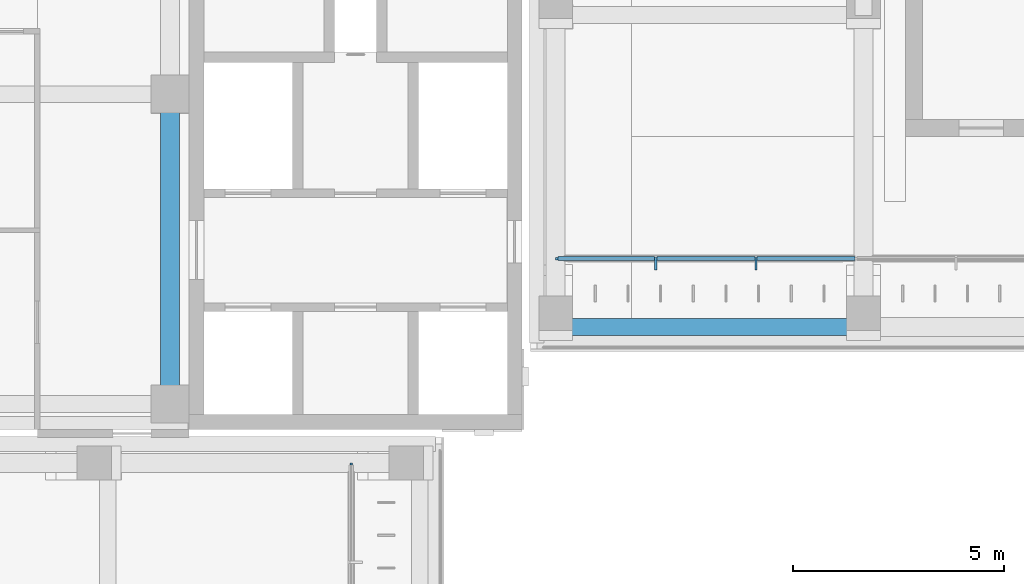
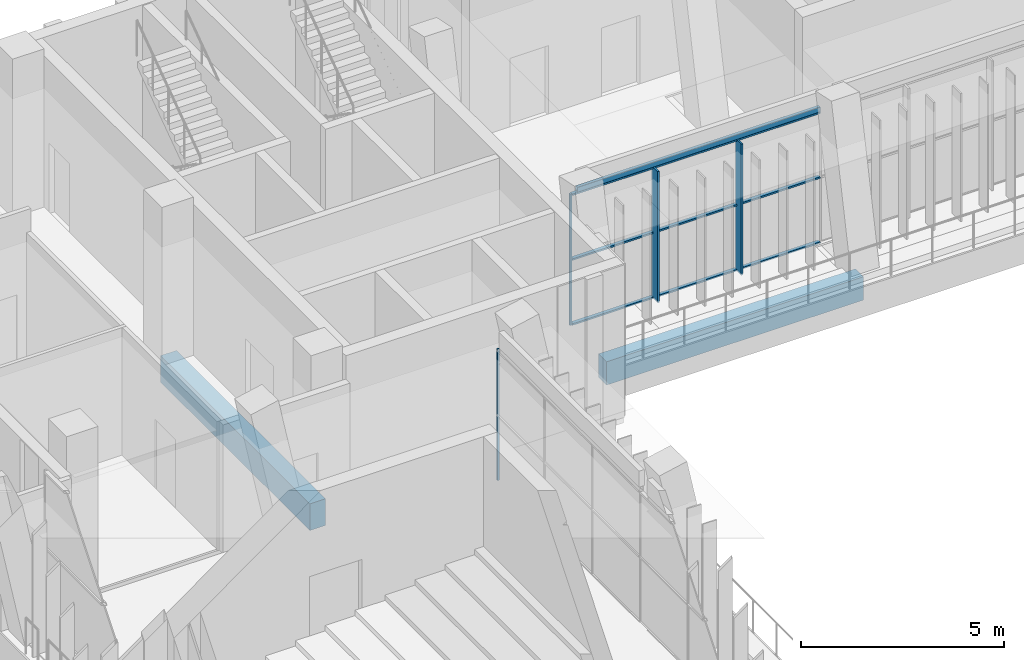
# One storey, part 69 of 141: 13 members, 3 beams, 2 elements without a shape of their own.
"""IFC4 building model written with IfcOpenShell, lengths in metres."""

from ifc_helpers import new_model, si_unit, direction, frame, origin, origin_2d, place, context, subcontext, project, spatial, rectangle, hollow_rectangle, extrude, material, material_profile, profile_set, type_object, element, aggregate, save


model = new_model("IFC4")

# Units and contexts
model_context = context("Model", 3, precision=1e-05, world=origin(), true_north=direction((0.0, 1.0)))
body_context = subcontext(model_context, "Body", "Model", "MODEL_VIEW")
ifc_project = project(units=[si_unit("LENGTHUNIT", "METRE"), si_unit("AREAUNIT", "SQUARE_METRE"), si_unit("VOLUMEUNIT", "CUBIC_METRE"), si_unit("PLANEANGLEUNIT", "RADIAN"), si_unit("MASSUNIT", "GRAM", prefix="KILO")], contexts=[model_context])

# Site, building, storey
site_placement = place(None, origin())
site = spatial("IfcSite", under=ifc_project, at=site_placement, CompositionType="ELEMENT")
building_placement = place(site_placement, origin())
building = spatial("IfcBuilding", under=site, at=building_placement, Name="Lantern Court Media Centre", CompositionType="ELEMENT")
storey_placement = place(building_placement, frame((0.0, 0.0, 9.60009765625)))
storey = spatial("IfcBuildingStorey", under=building, at=storey_placement, Name="L02", CompositionType="ELEMENT", Elevation=9.60009765625)

# Curtain wall, members
ifc_material_1 = material(Name="Curtain wall bay 2400")
curtain_wall_type = type_object("IfcCurtainWallType", Name="Curtain wall bay 2400", PredefinedType="NOTDEFINED", material=ifc_material_1)
curtain_wall_1_placement = place(storey_placement, origin())
curtain_wall_1 = element("IfcCurtainWall", 1, at=curtain_wall_1_placement, inside=storey, type_object=curtain_wall_type, Name="Curtain wall N inner L02", PredefinedType="NOTDEFINED")
ifc_material_2 = material(Name="Anodised aluminium", Category="aluminium")
ifc_material_profile_1 = material_profile(ifc_material_2, rectangle(XDim=0.300048828125, YDim=0.050048828125, at=origin_2d()), Name="AL 50x300")
ifc_profile_set_1 = profile_set([ifc_material_profile_1], Name="Anodised aluminium")
member_type_1 = type_object("IfcMemberType", Name="Curtain wall mullion 50x300", PredefinedType="MULLION", material=ifc_profile_set_1)
member_1_placement = place(storey_placement, frame((27.073974609375, 100.030029296875, 0.0), z_axis=(0.0, 0.0, 1.0), x_axis=(0.0, 1.0, 0.0)))
member_1 = element("IfcMember", 2, at=member_1_placement, type_object=member_type_1, Name="CW2 mullion 2", PredefinedType="MULLION", context=body_context, shape_type="SweptSolid", body=[
    extrude(rectangle(XDim=0.300048828125, YDim=0.050048828125, at=origin_2d()), origin(), (0.0, 0.0, 1.0), 3.949951171875),
])
member_2_placement = place(storey_placement, frame((29.44775390625, 100.030029296875, 0.0), z_axis=(0.0, 0.0, 1.0), x_axis=(0.0, 1.0, 0.0)))
member_2 = element("IfcMember", 3, at=member_2_placement, type_object=member_type_1, Name="CW2 mullion 3", PredefinedType="MULLION", context=body_context, shape_type="SweptSolid", body=[
    extrude(rectangle(XDim=0.300048828125, YDim=0.050048828125, at=origin_2d()), origin(), (0.0, 0.0, 1.0), 3.949951171875),
])
ifc_material_profile_2 = material_profile(ifc_material_2, rectangle(XDim=0.06005859375, YDim=0.050048828125, at=origin_2d()), Name="AL 50x60")
ifc_profile_set_2 = profile_set([ifc_material_profile_2], Name="Anodised aluminium")
member_type_2 = type_object("IfcMemberType", Name="Curtain wall mullion 50x60", PredefinedType="MULLION", material=ifc_profile_set_2)
member_3_placement = place(storey_placement, frame((24.72509765625, 100.14990234375, 0.0), z_axis=(0.0, 0.0, 1.0), x_axis=(0.0, 1.0, 0.0)))
member_3 = element("IfcMember", 4, at=member_3_placement, type_object=member_type_2, Name="CW2 mullion 1", PredefinedType="MULLION", context=body_context, shape_type="SweptSolid", body=[
    extrude(rectangle(XDim=0.06005859375, YDim=0.050048828125, at=origin_2d()), origin(), (0.0, 0.0, 1.0), 3.949951171875),
])

# Curtain wall, member
curtain_wall_2_placement = place(storey_placement, origin())
curtain_wall_2 = element("IfcCurtainWall", 5, at=curtain_wall_2_placement, inside=storey, type_object=curtain_wall_type, Name="Curtain wall W inner L02", PredefinedType="NOTDEFINED")
member_4_placement = place(storey_placement, frame((19.85009765625, 95.27490234375, 0.0), z_axis=(0.0, 0.0, 1.0), x_axis=(-1.0, 0.0, 0.0)))
member_4 = element("IfcMember", 6, at=member_4_placement, type_object=member_type_2, Name="CW2 mullion 14", PredefinedType="MULLION", context=body_context, shape_type="SweptSolid", body=[
    extrude(rectangle(XDim=0.06005859375, YDim=0.050048828125, at=origin_2d()), origin(), (0.0, 0.0, 1.0), 3.949951171875),
])
aggregate(curtain_wall_2, [member_4])

# Member
ifc_material_profile_3 = material_profile(ifc_material_2, rectangle(XDim=0.10009765625, YDim=0.050048828125, at=origin_2d()), Name="AL 50x100")
ifc_profile_set_3 = profile_set([ifc_material_profile_3], Name="Anodised aluminium")
member_type_3 = type_object("IfcMemberType", Name="Curtain wall transom 100x50", PredefinedType="USERDEFINED", material=ifc_profile_set_3)
member_5_placement = place(storey_placement, frame((24.75, 100.14990234375, 0.02490234375), z_axis=(1.0, 0.0, 0.0), x_axis=(0.0, 1.0, 0.0)))
member_5 = element("IfcMember", 7, at=member_5_placement, type_object=member_type_3, Name="CW2 transom 1.1", ObjectType="TRANSOM", PredefinedType="USERDEFINED", context=body_context, shape_type="SweptSolid", body=[
    extrude(rectangle(XDim=0.10009765625, YDim=0.050048828125, at=origin_2d()), origin(), (0.0, 0.0, 1.0), 2.298828125),
])

member_6_placement = place(storey_placement, frame((24.75, 100.14990234375, 1.974853515625), z_axis=(1.0, 0.0, 0.0), x_axis=(0.0, 1.0, 0.0)))
member_6 = element("IfcMember", 8, at=member_6_placement, type_object=member_type_3, Name="CW2 transom 1.2", ObjectType="TRANSOM", PredefinedType="USERDEFINED", context=body_context, shape_type="SweptSolid", body=[
    extrude(rectangle(XDim=0.10009765625, YDim=0.050048828125, at=origin_2d()), origin(), (0.0, 0.0, 1.0), 2.298828125),
])

member_7_placement = place(storey_placement, frame((24.75, 100.14990234375, 3.9248046875), z_axis=(1.0, 0.0, 0.0), x_axis=(0.0, 1.0, 0.0)))
member_7 = element("IfcMember", 9, at=member_7_placement, type_object=member_type_3, Name="CW2 transom 1.3", ObjectType="TRANSOM", PredefinedType="USERDEFINED", context=body_context, shape_type="SweptSolid", body=[
    extrude(rectangle(XDim=0.10009765625, YDim=0.050048828125, at=origin_2d()), origin(), (0.0, 0.0, 1.0), 2.298828125),
])

member_8_placement = place(storey_placement, frame((27.098876953125, 100.14990234375, 0.02490234375), z_axis=(1.0, 0.0, 0.0), x_axis=(0.0, 1.0, 0.0)))
member_8 = element("IfcMember", 10, at=member_8_placement, type_object=member_type_3, Name="CW2 transom 2.1", ObjectType="TRANSOM", PredefinedType="USERDEFINED", context=body_context, shape_type="SweptSolid", body=[
    extrude(rectangle(XDim=0.10009765625, YDim=0.050048828125, at=origin_2d()), origin(), (0.0, 0.0, 1.0), 2.323974609375),
])

member_9_placement = place(storey_placement, frame((27.098876953125, 100.14990234375, 1.974853515625), z_axis=(1.0, 0.0, 0.0), x_axis=(0.0, 1.0, 0.0)))
member_9 = element("IfcMember", 11, at=member_9_placement, type_object=member_type_3, Name="CW2 transom 2.2", ObjectType="TRANSOM", PredefinedType="USERDEFINED", context=body_context, shape_type="SweptSolid", body=[
    extrude(rectangle(XDim=0.10009765625, YDim=0.050048828125, at=origin_2d()), origin(), (0.0, 0.0, 1.0), 2.323974609375),
])

member_10_placement = place(storey_placement, frame((27.098876953125, 100.14990234375, 3.9248046875), z_axis=(1.0, 0.0, 0.0), x_axis=(0.0, 1.0, 0.0)))
member_10 = element("IfcMember", 12, at=member_10_placement, type_object=member_type_3, Name="CW2 transom 2.3", ObjectType="TRANSOM", PredefinedType="USERDEFINED", context=body_context, shape_type="SweptSolid", body=[
    extrude(rectangle(XDim=0.10009765625, YDim=0.050048828125, at=origin_2d()), origin(), (0.0, 0.0, 1.0), 2.323974609375),
])

member_11_placement = place(storey_placement, frame((29.472900390625, 100.14990234375, 0.02490234375), z_axis=(1.0, 0.0, 0.0), x_axis=(0.0, 1.0, 0.0)))
member_11 = element("IfcMember", 13, at=member_11_placement, type_object=member_type_3, Name="CW2 transom 3.1", ObjectType="TRANSOM", PredefinedType="USERDEFINED", context=body_context, shape_type="SweptSolid", body=[
    extrude(rectangle(XDim=0.10009765625, YDim=0.050048828125, at=origin_2d()), origin(), (0.0, 0.0, 1.0), 2.32373046875),
])

member_12_placement = place(storey_placement, frame((29.472900390625, 100.14990234375, 1.974853515625), z_axis=(1.0, 0.0, 0.0), x_axis=(0.0, 1.0, 0.0)))
member_12 = element("IfcMember", 14, at=member_12_placement, type_object=member_type_3, Name="CW2 transom 3.2", ObjectType="TRANSOM", PredefinedType="USERDEFINED", context=body_context, shape_type="SweptSolid", body=[
    extrude(rectangle(XDim=0.10009765625, YDim=0.050048828125, at=origin_2d()), origin(), (0.0, 0.0, 1.0), 2.32373046875),
])

member_13_placement = place(storey_placement, frame((29.472900390625, 100.14990234375, 3.9248046875), z_axis=(1.0, 0.0, 0.0), x_axis=(0.0, 1.0, 0.0)))
member_13 = element("IfcMember", 15, at=member_13_placement, type_object=member_type_3, Name="CW2 transom 3.3", ObjectType="TRANSOM", PredefinedType="USERDEFINED", context=body_context, shape_type="SweptSolid", body=[
    extrude(rectangle(XDim=0.10009765625, YDim=0.050048828125, at=origin_2d()), origin(), (0.0, 0.0, 1.0), 2.32373046875),
])

aggregate(curtain_wall_1, [member_3, member_1, member_2, member_5, member_6, member_7, member_8, member_9, member_10, member_11, member_12, member_13])

# Beams
ifc_material_3 = material(Name="Steel S355J2 (EN 10025-2)", Category="steel")
ifc_material_profile_4 = material_profile(ifc_material_3, hollow_rectangle(XDim=0.10009765625, YDim=0.14990234375, WallThickness=0.00634765625, InnerFilletRadius=0.00634765625, OuterFilletRadius=0.009521484375, at=origin_2d()), Name="Facade head lintel RHS 150x100x6.3")
ifc_profile_set_4 = profile_set([ifc_material_profile_4], Name="Steel S355J2 (EN 10025-2)")
beam_type_1 = type_object("IfcBeamType", Name="Facade head lintel RHS 150x100x6.3", PredefinedType="BEAM", material=ifc_profile_set_4)
beam_1_placement = place(storey_placement, frame((24.89990234375, 100.14990234375, 4.02490234375), z_axis=(1.0, 0.0, 0.0), x_axis=(0.0, 1.0, 0.0)))
element("IfcBeam", 16, at=beam_1_placement, inside=storey, type_object=beam_type_1, Name="Facade head lintel N L02", PredefinedType="BEAM", context=body_context, shape_type="SweptSolid", body=[
    extrude(hollow_rectangle(XDim=0.10009765625, YDim=0.14990234375, WallThickness=0.00634765625, InnerFilletRadius=0.00634765625, OuterFilletRadius=0.009521484375, at=origin_2d()), origin(), (0.0, 0.0, 1.0), 6.900146484375),
])
ifc_material_4 = material(Name="Concrete C35", Category="concrete")
ifc_material_profile_5 = material_profile(ifc_material_4, rectangle(XDim=0.39990234375, YDim=0.699951171875, at=origin_2d()), Name="RC 400x700")
ifc_profile_set_5 = profile_set([ifc_material_profile_5], Name="Concrete C35")
beam_type_2 = type_object("IfcBeamType", Name="RC BEAM 400x700", PredefinedType="BEAM", material=ifc_profile_set_5)
beam_2_placement = place(storey_placement, frame((24.699951171875, 98.527099609375, -0.35009765625), z_axis=(1.0, 0.0, 0.0), x_axis=(0.0, 1.0, 0.0)))
element("IfcBeam", 17, at=beam_2_placement, inside=storey, type_object=beam_type_2, Name="LB-N-L02-0-0", PredefinedType="BEAM", context=body_context, shape_type="SweptSolid", body=[
    extrude(rectangle(XDim=0.39990234375, YDim=0.699951171875, at=origin_2d()), origin(), (0.0, 0.0, 1.0), 7.300048828125),
])
ifc_material_profile_6 = material_profile(ifc_material_4, rectangle(XDim=0.449951171875, YDim=0.800048828125, at=origin_2d()), Name="RC 450x800")
ifc_profile_set_6 = profile_set([ifc_material_profile_6], Name="Concrete C35")
beam_type_3 = type_object("IfcBeamType", Name="RC BEAM 450x800", PredefinedType="BEAM", material=ifc_profile_set_6)
beam_3_placement = place(storey_placement, frame((15.550048828125, 96.699951171875, -0.400146484375), z_axis=(0.0, 1.0, 0.0), x_axis=(-1.0, 0.0, 0.0)))
element("IfcBeam", 18, at=beam_3_placement, inside=storey, type_object=beam_type_3, Name="BB-NW-L02-X0-15", PredefinedType="BEAM", context=body_context, shape_type="SweptSolid", body=[
    extrude(rectangle(XDim=0.449951171875, YDim=0.800048828125, at=origin_2d()), origin(), (0.0, 0.0, 1.0), 7.35009765625),
])

save(model, "model.ifc")
